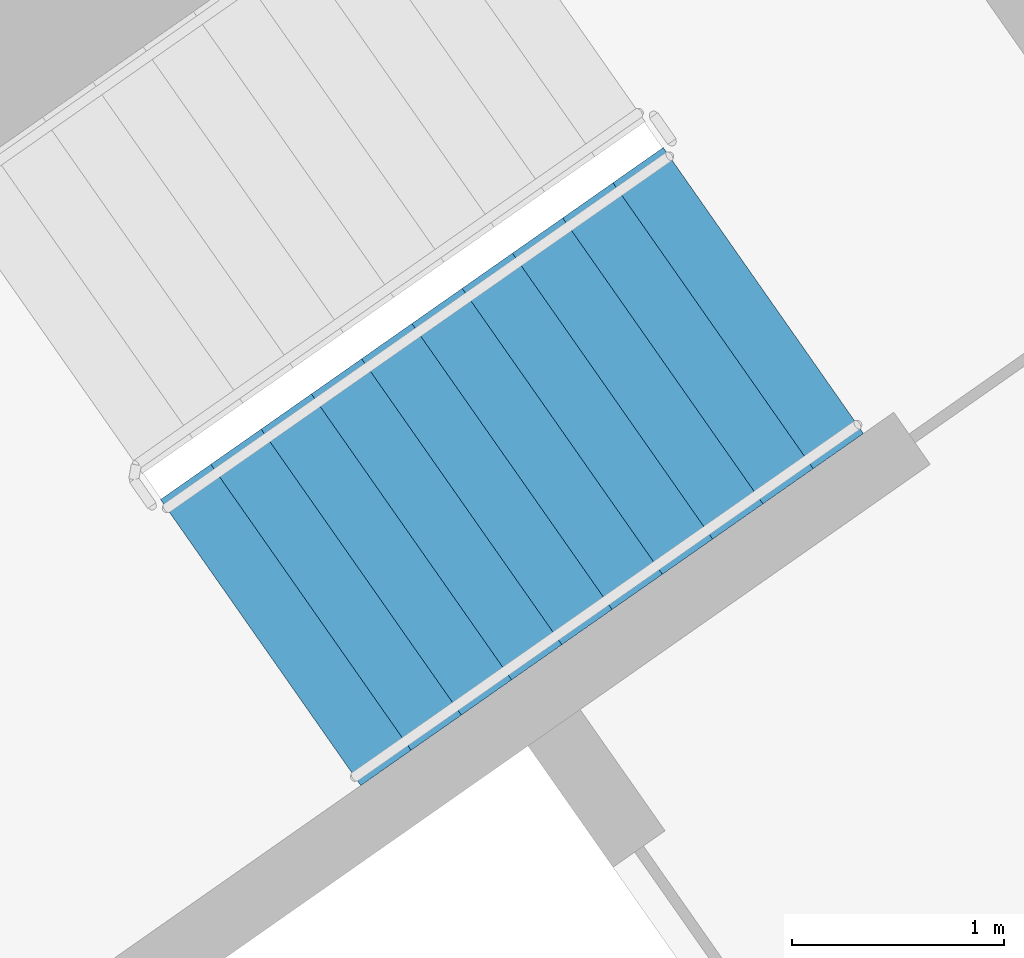
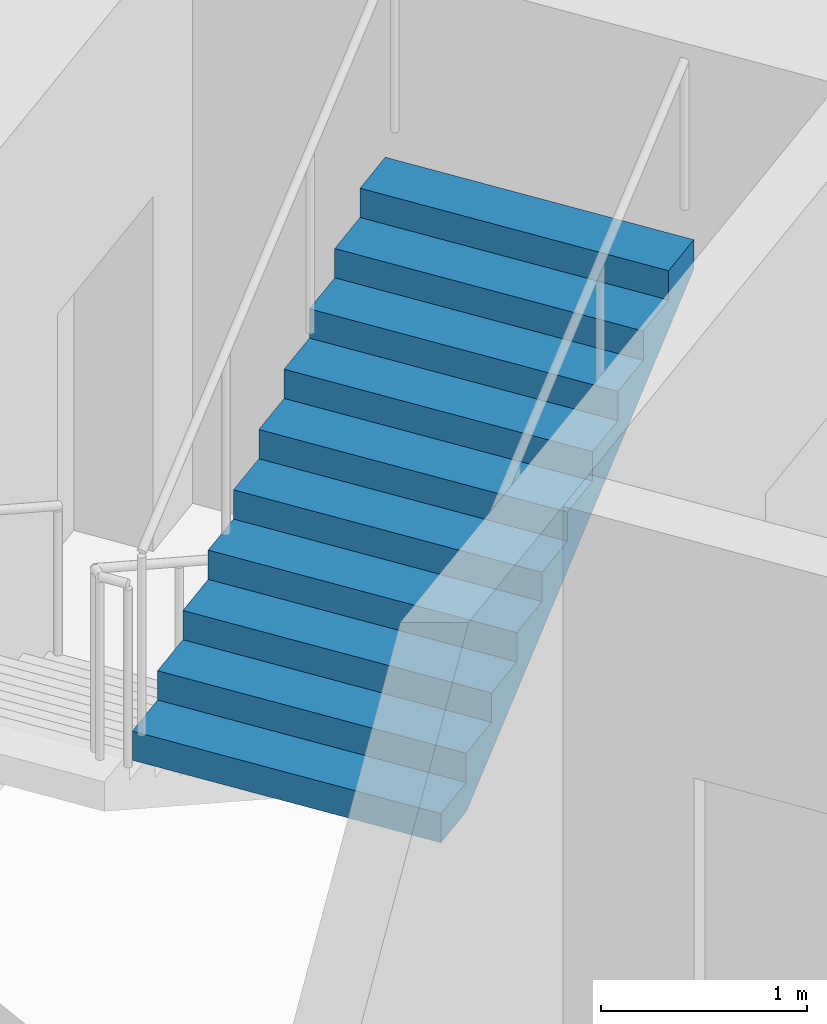
# One storey, part 14 of 29: 1 stair flight, 1 element without a shape of its own.
"""IFC4 building model written with IfcOpenShell, lengths in metres."""

from ifc_helpers import new_model, si_unit, direction, frame, origin, place, context, subcontext, project, spatial, faceted_brep, material, type_object, element, aggregate, save


model = new_model("IFC4")

# Units and contexts
model_context = context("Model", 3, precision=1e-05, world=origin(), true_north=direction((0.0, 1.0)))
body_context = subcontext(model_context, "Body", "Model", "MODEL_VIEW")
ifc_project = project(units=[si_unit("LENGTHUNIT", "METRE"), si_unit("AREAUNIT", "SQUARE_METRE"), si_unit("VOLUMEUNIT", "CUBIC_METRE"), si_unit("PLANEANGLEUNIT", "RADIAN"), si_unit("MASSUNIT", "GRAM", prefix="KILO")], contexts=[model_context])

# Site, building, storey
site_placement = place(None, origin())
site = spatial("IfcSite", under=ifc_project, at=site_placement, CompositionType="ELEMENT")
building_placement = place(site_placement, origin())
building = spatial("IfcBuilding", under=site, at=building_placement, Name="Qamariyya Broadcast Tower", CompositionType="ELEMENT")
storey_placement = place(building_placement, frame((0.0, 0.0, 106.300048828125)))
storey = spatial("IfcBuildingStorey", under=building, at=storey_placement, Name="L23", CompositionType="ELEMENT", Elevation=106.300048828125)

# Stair, stair flight
ifc_material = material(Name="Concrete C50/60", Category="concrete")
stair_type = type_object("IfcStairType", Name="Exit stair 22 risers of 173 mm", PredefinedType="HALF_TURN_STAIR", material=ifc_material)
stair_placement = place(storey_placement, origin())
stair = element("IfcStair", 1, at=stair_placement, inside=storey, type_object=stair_type, Name="L23 Stair E2", PredefinedType="HALF_TURN_STAIR")
stair_flight_type = type_object("IfcStairFlightType", Name="Exit stair flight 11 risers of 173 mm", PredefinedType="STRAIGHT", material=ifc_material)
stair_flight_placement = place(storey_placement, frame((39.215576171875, -50.822998046875, 1.89990234375), z_axis=(0.0, 0.0, 1.0), x_axis=(0.819152044289, 0.573576436351, 0.0)))
stair_flight = element("IfcStairFlight", 2, at=stair_flight_placement, type_object=stair_flight_type, Name="ST-E2 flight 2", NumberOfRisers=11, NumberOfTreads=10, PredefinedType="STRAIGHT", RiserHeight=0.172727273, TreadLength=0.29, context=body_context, shape_type="Brep", body=[
    faceted_brep([(0.0, 0.824951171875, 0.0), (0.0, 0.824951171875, 0.172607421875), (0.2900390625, 0.824951171875, 0.172607421875), (0.2900390625, 0.824951171875, 0.345458984375), (0.580078125, 0.824951171875, 0.345458984375), (0.580078125, 0.824951171875, 0.51806640625), (0.8701171875, 0.824951171875, 0.51806640625), (0.8701171875, 0.824951171875, 0.69091796875), (1.159912109375, 0.824951171875, 0.69091796875), (1.159912109375, 0.824951171875, 0.863525390625), (1.449951171875, 0.824951171875, 0.863525390625), (1.449951171875, 0.824951171875, 1.036376953125), (1.739990234375, 0.824951171875, 1.036376953125), (1.739990234375, 0.824951171875, 1.208984375), (2.030029296875, 0.824951171875, 1.208984375), (2.030029296875, 0.824951171875, 1.3818359375), (2.320068359375, 0.824951171875, 1.3818359375), (2.320068359375, 0.824951171875, 1.554443359375), (2.610107421875, 0.824951171875, 1.554443359375), (2.610107421875, 0.824951171875, 1.727294921875), (2.89990234375, 0.824951171875, 1.727294921875), (2.89990234375, 0.824951171875, 1.552734375), (0.29296875, 0.824951171875, 0.0), (0.29296875, -0.824951171875, 0.0), (2.89990234375, -0.824951171875, 1.552734375), (2.89990234375, -0.824951171875, 1.727294921875), (2.610107421875, -0.824951171875, 1.727294921875), (2.610107421875, -0.824951171875, 1.554443359375), (2.320068359375, -0.824951171875, 1.554443359375), (2.320068359375, -0.824951171875, 1.3818359375), (2.030029296875, -0.824951171875, 1.3818359375), (2.030029296875, -0.824951171875, 1.208984375), (1.739990234375, -0.824951171875, 1.208984375), (1.739990234375, -0.824951171875, 1.036376953125), (1.449951171875, -0.824951171875, 1.036376953125), (1.449951171875, -0.824951171875, 0.863525390625), (1.159912109375, -0.824951171875, 0.863525390625), (1.159912109375, -0.824951171875, 0.69091796875), (0.8701171875, -0.824951171875, 0.69091796875), (0.8701171875, -0.824951171875, 0.51806640625), (0.580078125, -0.824951171875, 0.51806640625), (0.580078125, -0.824951171875, 0.345458984375), (0.2900390625, -0.824951171875, 0.345458984375), (0.2900390625, -0.824951171875, 0.172607421875), (0.0, -0.824951171875, 0.172607421875), (0.0, -0.824951171875, 0.0), (0.0, 0.10009765625, 0.0), (0.0, 0.086669921875, 0.0), (0.0, 0.0732421875, 0.0), (0.0, 0.06005859375, 0.0), (0.0, 0.046630859375, 0.0), (0.0, 0.033447265625, 0.0), (0.0, 0.02001953125, 0.0), (0.0, 0.006591796875, 0.0), (0.0, -0.006591796875, 0.0), (0.0, -0.02001953125, 0.0), (0.0, -0.033447265625, 0.0), (0.0, -0.046630859375, 0.0), (0.0, -0.06005859375, 0.0), (0.0, -0.0732421875, 0.0), (0.0, -0.086669921875, 0.0), (0.0, -0.10009765625, 0.0), (0.0, -0.10009765625, 0.172607421875), (0.0, -0.086669921875, 0.172607421875), (0.0, -0.0732421875, 0.172607421875), (0.0, -0.06005859375, 0.172607421875), (0.0, -0.046630859375, 0.172607421875), (0.0, -0.033447265625, 0.172607421875), (0.0, -0.02001953125, 0.172607421875), (0.0, -0.006591796875, 0.172607421875), (0.0, 0.006591796875, 0.172607421875), (0.0, 0.02001953125, 0.172607421875), (0.0, 0.033447265625, 0.172607421875), (0.0, 0.046630859375, 0.172607421875), (0.0, 0.06005859375, 0.172607421875), (0.0, 0.0732421875, 0.172607421875), (0.0, 0.086669921875, 0.172607421875), (0.0, 0.10009765625, 0.172607421875), (0.2900390625, -0.10009765625, 0.172607421875), (0.2900390625, -0.086669921875, 0.172607421875), (0.2900390625, -0.0732421875, 0.172607421875), (0.2900390625, -0.06005859375, 0.172607421875), (0.2900390625, -0.046630859375, 0.172607421875), (0.2900390625, -0.033447265625, 0.172607421875), (0.2900390625, -0.02001953125, 0.172607421875), (0.2900390625, -0.006591796875, 0.172607421875), (0.2900390625, 0.006591796875, 0.172607421875), (0.2900390625, 0.02001953125, 0.172607421875), (0.2900390625, 0.033447265625, 0.172607421875), (0.2900390625, 0.046630859375, 0.172607421875), (0.2900390625, 0.06005859375, 0.172607421875), (0.2900390625, 0.0732421875, 0.172607421875), (0.2900390625, 0.086669921875, 0.172607421875), (0.2900390625, 0.10009765625, 0.172607421875), (0.2900390625, -0.10009765625, 0.345458984375), (0.2900390625, -0.086669921875, 0.345458984375), (0.2900390625, -0.0732421875, 0.345458984375), (0.2900390625, -0.06005859375, 0.345458984375), (0.2900390625, -0.046630859375, 0.345458984375), (0.2900390625, -0.033447265625, 0.345458984375), (0.2900390625, -0.02001953125, 0.345458984375), (0.2900390625, -0.006591796875, 0.345458984375), (0.2900390625, 0.006591796875, 0.345458984375), (0.2900390625, 0.02001953125, 0.345458984375), (0.2900390625, 0.033447265625, 0.345458984375), (0.2900390625, 0.046630859375, 0.345458984375), (0.2900390625, 0.06005859375, 0.345458984375), (0.2900390625, 0.0732421875, 0.345458984375), (0.2900390625, 0.086669921875, 0.345458984375), (0.2900390625, 0.10009765625, 0.345458984375), (0.580078125, -0.10009765625, 0.345458984375), (0.580078125, -0.086669921875, 0.345458984375), (0.580078125, -0.0732421875, 0.345458984375), (0.580078125, -0.06005859375, 0.345458984375), (0.580078125, -0.046630859375, 0.345458984375), (0.580078125, -0.033447265625, 0.345458984375), (0.580078125, -0.02001953125, 0.345458984375), (0.580078125, -0.006591796875, 0.345458984375), (0.580078125, 0.006591796875, 0.345458984375), (0.580078125, 0.02001953125, 0.345458984375), (0.580078125, 0.033447265625, 0.345458984375), (0.580078125, 0.046630859375, 0.345458984375), (0.580078125, 0.06005859375, 0.345458984375), (0.580078125, 0.0732421875, 0.345458984375), (0.580078125, 0.086669921875, 0.345458984375), (0.580078125, 0.10009765625, 0.345458984375), (0.580078125, -0.10009765625, 0.51806640625), (0.580078125, -0.086669921875, 0.51806640625), (0.580078125, -0.0732421875, 0.51806640625), (0.580078125, -0.06005859375, 0.51806640625), (0.580078125, -0.046630859375, 0.51806640625), (0.580078125, -0.033447265625, 0.51806640625), (0.580078125, -0.02001953125, 0.51806640625), (0.580078125, -0.006591796875, 0.51806640625), (0.580078125, 0.006591796875, 0.51806640625), (0.580078125, 0.02001953125, 0.51806640625), (0.580078125, 0.033447265625, 0.51806640625), (0.580078125, 0.046630859375, 0.51806640625), (0.580078125, 0.06005859375, 0.51806640625), (0.580078125, 0.0732421875, 0.51806640625), (0.580078125, 0.086669921875, 0.51806640625), (0.580078125, 0.10009765625, 0.51806640625), (0.8701171875, -0.10009765625, 0.51806640625), (0.8701171875, -0.086669921875, 0.51806640625), (0.8701171875, -0.0732421875, 0.51806640625), (0.8701171875, -0.06005859375, 0.51806640625), (0.8701171875, -0.046630859375, 0.51806640625), (0.8701171875, -0.033447265625, 0.51806640625), (0.8701171875, -0.02001953125, 0.51806640625), (0.8701171875, -0.006591796875, 0.51806640625), (0.8701171875, 0.006591796875, 0.51806640625), (0.8701171875, 0.02001953125, 0.51806640625), (0.8701171875, 0.033447265625, 0.51806640625), (0.8701171875, 0.046630859375, 0.51806640625), (0.8701171875, 0.06005859375, 0.51806640625), (0.8701171875, 0.0732421875, 0.51806640625), (0.8701171875, 0.086669921875, 0.51806640625), (0.8701171875, 0.10009765625, 0.51806640625), (0.8701171875, -0.10009765625, 0.69091796875), (0.8701171875, -0.086669921875, 0.69091796875), (0.8701171875, -0.0732421875, 0.69091796875), (0.8701171875, -0.06005859375, 0.69091796875), (0.8701171875, -0.046630859375, 0.69091796875), (0.8701171875, -0.033447265625, 0.69091796875), (0.8701171875, -0.02001953125, 0.69091796875), (0.8701171875, -0.006591796875, 0.69091796875), (0.8701171875, 0.006591796875, 0.69091796875), (0.8701171875, 0.02001953125, 0.69091796875), (0.8701171875, 0.033447265625, 0.69091796875), (0.8701171875, 0.046630859375, 0.69091796875), (0.8701171875, 0.06005859375, 0.69091796875), (0.8701171875, 0.0732421875, 0.69091796875), (0.8701171875, 0.086669921875, 0.69091796875), (0.8701171875, 0.10009765625, 0.69091796875), (1.159912109375, -0.10009765625, 0.69091796875), (1.159912109375, -0.086669921875, 0.69091796875), (1.159912109375, -0.0732421875, 0.69091796875), (1.159912109375, -0.06005859375, 0.69091796875), (1.159912109375, -0.046630859375, 0.69091796875), (1.159912109375, -0.033447265625, 0.69091796875), (1.159912109375, -0.02001953125, 0.69091796875), (1.159912109375, -0.006591796875, 0.69091796875), (1.159912109375, 0.006591796875, 0.69091796875), (1.159912109375, 0.02001953125, 0.69091796875), (1.159912109375, 0.033447265625, 0.69091796875), (1.159912109375, 0.046630859375, 0.69091796875), (1.159912109375, 0.06005859375, 0.69091796875), (1.159912109375, 0.0732421875, 0.69091796875), (1.159912109375, 0.086669921875, 0.69091796875), (1.159912109375, 0.10009765625, 0.69091796875), (1.159912109375, -0.10009765625, 0.863525390625), (1.159912109375, -0.086669921875, 0.863525390625), (1.159912109375, -0.0732421875, 0.863525390625), (1.159912109375, -0.06005859375, 0.863525390625), (1.159912109375, -0.046630859375, 0.863525390625), (1.159912109375, -0.033447265625, 0.863525390625), (1.159912109375, -0.02001953125, 0.863525390625), (1.159912109375, -0.006591796875, 0.863525390625), (1.159912109375, 0.006591796875, 0.863525390625), (1.159912109375, 0.02001953125, 0.863525390625), (1.159912109375, 0.033447265625, 0.863525390625), (1.159912109375, 0.046630859375, 0.863525390625), (1.159912109375, 0.06005859375, 0.863525390625), (1.159912109375, 0.0732421875, 0.863525390625), (1.159912109375, 0.086669921875, 0.863525390625), (1.159912109375, 0.10009765625, 0.863525390625), (1.449951171875, -0.10009765625, 0.863525390625), (1.449951171875, -0.086669921875, 0.863525390625), (1.449951171875, -0.0732421875, 0.863525390625), (1.449951171875, -0.06005859375, 0.863525390625), (1.449951171875, -0.046630859375, 0.863525390625), (1.449951171875, -0.033447265625, 0.863525390625), (1.449951171875, -0.02001953125, 0.863525390625), (1.449951171875, -0.006591796875, 0.863525390625), (1.449951171875, 0.006591796875, 0.863525390625), (1.449951171875, 0.02001953125, 0.863525390625), (1.449951171875, 0.033447265625, 0.863525390625), (1.449951171875, 0.046630859375, 0.863525390625), (1.449951171875, 0.06005859375, 0.863525390625), (1.449951171875, 0.0732421875, 0.863525390625), (1.449951171875, 0.086669921875, 0.863525390625), (1.449951171875, 0.10009765625, 0.863525390625), (1.449951171875, -0.10009765625, 1.036376953125), (1.449951171875, -0.086669921875, 1.036376953125), (1.449951171875, -0.0732421875, 1.036376953125), (1.449951171875, -0.06005859375, 1.036376953125), (1.449951171875, -0.046630859375, 1.036376953125), (1.449951171875, -0.033447265625, 1.036376953125), (1.449951171875, -0.02001953125, 1.036376953125), (1.449951171875, -0.006591796875, 1.036376953125), (1.449951171875, 0.006591796875, 1.036376953125), (1.449951171875, 0.02001953125, 1.036376953125), (1.449951171875, 0.033447265625, 1.036376953125), (1.449951171875, 0.046630859375, 1.036376953125), (1.449951171875, 0.06005859375, 1.036376953125), (1.449951171875, 0.0732421875, 1.036376953125), (1.449951171875, 0.086669921875, 1.036376953125), (1.449951171875, 0.10009765625, 1.036376953125), (1.739990234375, -0.10009765625, 1.036376953125), (1.739990234375, -0.086669921875, 1.036376953125), (1.739990234375, -0.0732421875, 1.036376953125), (1.739990234375, -0.06005859375, 1.036376953125), (1.739990234375, -0.046630859375, 1.036376953125), (1.739990234375, -0.033447265625, 1.036376953125), (1.739990234375, -0.02001953125, 1.036376953125), (1.739990234375, -0.006591796875, 1.036376953125), (1.739990234375, 0.006591796875, 1.036376953125), (1.739990234375, 0.02001953125, 1.036376953125), (1.739990234375, 0.033447265625, 1.036376953125), (1.739990234375, 0.046630859375, 1.036376953125), (1.739990234375, 0.06005859375, 1.036376953125), (1.739990234375, 0.0732421875, 1.036376953125), (1.739990234375, 0.086669921875, 1.036376953125), (1.739990234375, 0.10009765625, 1.036376953125), (1.739990234375, -0.10009765625, 1.208984375), (1.739990234375, -0.086669921875, 1.208984375), (1.739990234375, -0.0732421875, 1.208984375), (1.739990234375, -0.06005859375, 1.208984375), (1.739990234375, -0.046630859375, 1.208984375), (1.739990234375, -0.033447265625, 1.208984375), (1.739990234375, -0.02001953125, 1.208984375), (1.739990234375, -0.006591796875, 1.208984375), (1.739990234375, 0.006591796875, 1.208984375), (1.739990234375, 0.02001953125, 1.208984375), (1.739990234375, 0.033447265625, 1.208984375), (1.739990234375, 0.046630859375, 1.208984375), (1.739990234375, 0.06005859375, 1.208984375), (1.739990234375, 0.0732421875, 1.208984375), (1.739990234375, 0.086669921875, 1.208984375), (1.739990234375, 0.10009765625, 1.208984375), (2.030029296875, -0.10009765625, 1.208984375), (2.030029296875, -0.086669921875, 1.208984375), (2.030029296875, -0.0732421875, 1.208984375), (2.030029296875, -0.06005859375, 1.208984375), (2.030029296875, -0.046630859375, 1.208984375), (2.030029296875, -0.033447265625, 1.208984375), (2.030029296875, -0.02001953125, 1.208984375), (2.030029296875, -0.006591796875, 1.208984375), (2.030029296875, 0.006591796875, 1.208984375), (2.030029296875, 0.02001953125, 1.208984375), (2.030029296875, 0.033447265625, 1.208984375), (2.030029296875, 0.046630859375, 1.208984375), (2.030029296875, 0.06005859375, 1.208984375), (2.030029296875, 0.0732421875, 1.208984375), (2.030029296875, 0.086669921875, 1.208984375), (2.030029296875, 0.10009765625, 1.208984375), (2.030029296875, -0.10009765625, 1.3818359375), (2.030029296875, -0.086669921875, 1.3818359375), (2.030029296875, -0.0732421875, 1.3818359375), (2.030029296875, -0.06005859375, 1.3818359375), (2.030029296875, -0.046630859375, 1.3818359375), (2.030029296875, -0.033447265625, 1.3818359375), (2.030029296875, -0.02001953125, 1.3818359375), (2.030029296875, -0.006591796875, 1.3818359375), (2.030029296875, 0.006591796875, 1.3818359375), (2.030029296875, 0.02001953125, 1.3818359375), (2.030029296875, 0.033447265625, 1.3818359375), (2.030029296875, 0.046630859375, 1.3818359375), (2.030029296875, 0.06005859375, 1.3818359375), (2.030029296875, 0.0732421875, 1.3818359375), (2.030029296875, 0.086669921875, 1.3818359375), (2.030029296875, 0.10009765625, 1.3818359375), (2.320068359375, -0.10009765625, 1.3818359375), (2.320068359375, -0.086669921875, 1.3818359375), (2.320068359375, -0.0732421875, 1.3818359375), (2.320068359375, -0.06005859375, 1.3818359375), (2.320068359375, -0.046630859375, 1.3818359375), (2.320068359375, -0.033447265625, 1.3818359375), (2.320068359375, -0.02001953125, 1.3818359375), (2.320068359375, -0.006591796875, 1.3818359375), (2.320068359375, 0.006591796875, 1.3818359375), (2.320068359375, 0.02001953125, 1.3818359375), (2.320068359375, 0.033447265625, 1.3818359375), (2.320068359375, 0.046630859375, 1.3818359375), (2.320068359375, 0.06005859375, 1.3818359375), (2.320068359375, 0.0732421875, 1.3818359375), (2.320068359375, 0.086669921875, 1.3818359375), (2.320068359375, 0.10009765625, 1.3818359375), (2.320068359375, -0.10009765625, 1.554443359375), (2.320068359375, -0.086669921875, 1.554443359375), (2.320068359375, -0.0732421875, 1.554443359375), (2.320068359375, -0.06005859375, 1.554443359375), (2.320068359375, -0.046630859375, 1.554443359375), (2.320068359375, -0.033447265625, 1.554443359375), (2.320068359375, -0.02001953125, 1.554443359375), (2.320068359375, -0.006591796875, 1.554443359375), (2.320068359375, 0.006591796875, 1.554443359375), (2.320068359375, 0.02001953125, 1.554443359375), (2.320068359375, 0.033447265625, 1.554443359375), (2.320068359375, 0.046630859375, 1.554443359375), (2.320068359375, 0.06005859375, 1.554443359375), (2.320068359375, 0.0732421875, 1.554443359375), (2.320068359375, 0.086669921875, 1.554443359375), (2.320068359375, 0.10009765625, 1.554443359375), (2.610107421875, -0.10009765625, 1.554443359375), (2.610107421875, -0.086669921875, 1.554443359375), (2.610107421875, -0.0732421875, 1.554443359375), (2.610107421875, -0.06005859375, 1.554443359375), (2.610107421875, -0.046630859375, 1.554443359375), (2.610107421875, -0.033447265625, 1.554443359375), (2.610107421875, -0.02001953125, 1.554443359375), (2.610107421875, -0.006591796875, 1.554443359375), (2.610107421875, 0.006591796875, 1.554443359375), (2.610107421875, 0.02001953125, 1.554443359375), (2.610107421875, 0.033447265625, 1.554443359375), (2.610107421875, 0.046630859375, 1.554443359375), (2.610107421875, 0.06005859375, 1.554443359375), (2.610107421875, 0.0732421875, 1.554443359375), (2.610107421875, 0.086669921875, 1.554443359375), (2.610107421875, 0.10009765625, 1.554443359375), (2.610107421875, -0.10009765625, 1.727294921875), (2.610107421875, -0.086669921875, 1.727294921875), (2.610107421875, -0.0732421875, 1.727294921875), (2.610107421875, -0.06005859375, 1.727294921875), (2.610107421875, -0.046630859375, 1.727294921875), (2.610107421875, -0.033447265625, 1.727294921875), (2.610107421875, -0.02001953125, 1.727294921875), (2.610107421875, -0.006591796875, 1.727294921875), (2.610107421875, 0.006591796875, 1.727294921875), (2.610107421875, 0.02001953125, 1.727294921875), (2.610107421875, 0.033447265625, 1.727294921875), (2.610107421875, 0.046630859375, 1.727294921875), (2.610107421875, 0.06005859375, 1.727294921875), (2.610107421875, 0.0732421875, 1.727294921875), (2.610107421875, 0.086669921875, 1.727294921875), (2.610107421875, 0.10009765625, 1.727294921875), (2.89990234375, -0.10009765625, 1.727294921875), (2.89990234375, -0.086669921875, 1.727294921875), (2.89990234375, -0.0732421875, 1.727294921875), (2.89990234375, -0.06005859375, 1.727294921875), (2.89990234375, -0.046630859375, 1.727294921875), (2.89990234375, -0.033447265625, 1.727294921875), (2.89990234375, -0.02001953125, 1.727294921875), (2.89990234375, -0.006591796875, 1.727294921875), (2.89990234375, 0.006591796875, 1.727294921875), (2.89990234375, 0.02001953125, 1.727294921875), (2.89990234375, 0.033447265625, 1.727294921875), (2.89990234375, 0.046630859375, 1.727294921875), (2.89990234375, 0.06005859375, 1.727294921875), (2.89990234375, 0.0732421875, 1.727294921875), (2.89990234375, 0.086669921875, 1.727294921875), (2.89990234375, 0.10009765625, 1.727294921875), (2.89990234375, -0.10009765625, 1.552734375), (2.89990234375, -0.086669921875, 1.552734375), (2.89990234375, -0.0732421875, 1.552734375), (2.89990234375, -0.06005859375, 1.552734375), (2.89990234375, -0.046630859375, 1.552734375), (2.89990234375, -0.033447265625, 1.552734375), (2.89990234375, -0.02001953125, 1.552734375), (2.89990234375, -0.006591796875, 1.552734375), (2.89990234375, 0.006591796875, 1.552734375), (2.89990234375, 0.02001953125, 1.552734375), (2.89990234375, 0.033447265625, 1.552734375), (2.89990234375, 0.046630859375, 1.552734375), (2.89990234375, 0.06005859375, 1.552734375), (2.89990234375, 0.0732421875, 1.552734375), (2.89990234375, 0.086669921875, 1.552734375), (2.89990234375, 0.10009765625, 1.552734375), (0.29296875, -0.10009765625, 0.0), (0.29296875, -0.086669921875, 0.0), (0.29296875, -0.0732421875, 0.0), (0.29296875, -0.06005859375, 0.0), (0.29296875, -0.046630859375, 0.0), (0.29296875, -0.033447265625, 0.0), (0.29296875, -0.02001953125, 0.0), (0.29296875, -0.006591796875, 0.0), (0.29296875, 0.006591796875, 0.0), (0.29296875, 0.02001953125, 0.0), (0.29296875, 0.033447265625, 0.0), (0.29296875, 0.046630859375, 0.0), (0.29296875, 0.06005859375, 0.0), (0.29296875, 0.0732421875, 0.0), (0.29296875, 0.086669921875, 0.0), (0.29296875, 0.10009765625, 0.0)], [[[0, 1, 2, 3, 4, 5, 6, 7, 8, 9, 10, 11, 12, 13, 14, 15, 16, 17, 18, 19, 20, 21, 22]], [[23, 24, 25, 26, 27, 28, 29, 30, 31, 32, 33, 34, 35, 36, 37, 38, 39, 40, 41, 42, 43, 44, 45]], [[0, 46, 47, 48, 49, 50, 51, 52, 53, 54, 55, 56, 57, 58, 59, 60, 61, 45, 44, 62, 63, 64, 65, 66, 67, 68, 69, 70, 71, 72, 73, 74, 75, 76, 77, 1]], [[1, 77, 76, 75, 74, 73, 72, 71, 70, 69, 68, 67, 66, 65, 64, 63, 62, 44, 43, 78, 79, 80, 81, 82, 83, 84, 85, 86, 87, 88, 89, 90, 91, 92, 93, 2]], [[2, 93, 92, 91, 90, 89, 88, 87, 86, 85, 84, 83, 82, 81, 80, 79, 78, 43, 42, 94, 95, 96, 97, 98, 99, 100, 101, 102, 103, 104, 105, 106, 107, 108, 109, 3]], [[3, 109, 108, 107, 106, 105, 104, 103, 102, 101, 100, 99, 98, 97, 96, 95, 94, 42, 41, 110, 111, 112, 113, 114, 115, 116, 117, 118, 119, 120, 121, 122, 123, 124, 125, 4]], [[4, 125, 124, 123, 122, 121, 120, 119, 118, 117, 116, 115, 114, 113, 112, 111, 110, 41, 40, 126, 127, 128, 129, 130, 131, 132, 133, 134, 135, 136, 137, 138, 139, 140, 141, 5]], [[5, 141, 140, 139, 138, 137, 136, 135, 134, 133, 132, 131, 130, 129, 128, 127, 126, 40, 39, 142, 143, 144, 145, 146, 147, 148, 149, 150, 151, 152, 153, 154, 155, 156, 157, 6]], [[6, 157, 156, 155, 154, 153, 152, 151, 150, 149, 148, 147, 146, 145, 144, 143, 142, 39, 38, 158, 159, 160, 161, 162, 163, 164, 165, 166, 167, 168, 169, 170, 171, 172, 173, 7]], [[7, 173, 172, 171, 170, 169, 168, 167, 166, 165, 164, 163, 162, 161, 160, 159, 158, 38, 37, 174, 175, 176, 177, 178, 179, 180, 181, 182, 183, 184, 185, 186, 187, 188, 189, 8]], [[8, 189, 188, 187, 186, 185, 184, 183, 182, 181, 180, 179, 178, 177, 176, 175, 174, 37, 36, 190, 191, 192, 193, 194, 195, 196, 197, 198, 199, 200, 201, 202, 203, 204, 205, 9]], [[9, 205, 204, 203, 202, 201, 200, 199, 198, 197, 196, 195, 194, 193, 192, 191, 190, 36, 35, 206, 207, 208, 209, 210, 211, 212, 213, 214, 215, 216, 217, 218, 219, 220, 221, 10]], [[10, 221, 220, 219, 218, 217, 216, 215, 214, 213, 212, 211, 210, 209, 208, 207, 206, 35, 34, 222, 223, 224, 225, 226, 227, 228, 229, 230, 231, 232, 233, 234, 235, 236, 237, 11]], [[11, 237, 236, 235, 234, 233, 232, 231, 230, 229, 228, 227, 226, 225, 224, 223, 222, 34, 33, 238, 239, 240, 241, 242, 243, 244, 245, 246, 247, 248, 249, 250, 251, 252, 253, 12]], [[12, 253, 252, 251, 250, 249, 248, 247, 246, 245, 244, 243, 242, 241, 240, 239, 238, 33, 32, 254, 255, 256, 257, 258, 259, 260, 261, 262, 263, 264, 265, 266, 267, 268, 269, 13]], [[13, 269, 268, 267, 266, 265, 264, 263, 262, 261, 260, 259, 258, 257, 256, 255, 254, 32, 31, 270, 271, 272, 273, 274, 275, 276, 277, 278, 279, 280, 281, 282, 283, 284, 285, 14]], [[14, 285, 284, 283, 282, 281, 280, 279, 278, 277, 276, 275, 274, 273, 272, 271, 270, 31, 30, 286, 287, 288, 289, 290, 291, 292, 293, 294, 295, 296, 297, 298, 299, 300, 301, 15]], [[15, 301, 300, 299, 298, 297, 296, 295, 294, 293, 292, 291, 290, 289, 288, 287, 286, 30, 29, 302, 303, 304, 305, 306, 307, 308, 309, 310, 311, 312, 313, 314, 315, 316, 317, 16]], [[16, 317, 316, 315, 314, 313, 312, 311, 310, 309, 308, 307, 306, 305, 304, 303, 302, 29, 28, 318, 319, 320, 321, 322, 323, 324, 325, 326, 327, 328, 329, 330, 331, 332, 333, 17]], [[17, 333, 332, 331, 330, 329, 328, 327, 326, 325, 324, 323, 322, 321, 320, 319, 318, 28, 27, 334, 335, 336, 337, 338, 339, 340, 341, 342, 343, 344, 345, 346, 347, 348, 349, 18]], [[18, 349, 348, 347, 346, 345, 344, 343, 342, 341, 340, 339, 338, 337, 336, 335, 334, 27, 26, 350, 351, 352, 353, 354, 355, 356, 357, 358, 359, 360, 361, 362, 363, 364, 365, 19]], [[19, 365, 364, 363, 362, 361, 360, 359, 358, 357, 356, 355, 354, 353, 352, 351, 350, 26, 25, 366, 367, 368, 369, 370, 371, 372, 373, 374, 375, 376, 377, 378, 379, 380, 381, 20]], [[20, 381, 380, 379, 378, 377, 376, 375, 374, 373, 372, 371, 370, 369, 368, 367, 366, 25, 24, 382, 383, 384, 385, 386, 387, 388, 389, 390, 391, 392, 393, 394, 395, 396, 397, 21]], [[21, 397, 396, 395, 394, 393, 392, 391, 390, 389, 388, 387, 386, 385, 384, 383, 382, 24, 23, 398, 399, 400, 401, 402, 403, 404, 405, 406, 407, 408, 409, 410, 411, 412, 413, 22]], [[22, 413, 412, 411, 410, 409, 408, 407, 406, 405, 404, 403, 402, 401, 400, 399, 398, 23, 45, 61, 60, 59, 58, 57, 56, 55, 54, 53, 52, 51, 50, 49, 48, 47, 46, 0]]]),
])
aggregate(stair, [stair_flight])

save(model, "model.ifc")
